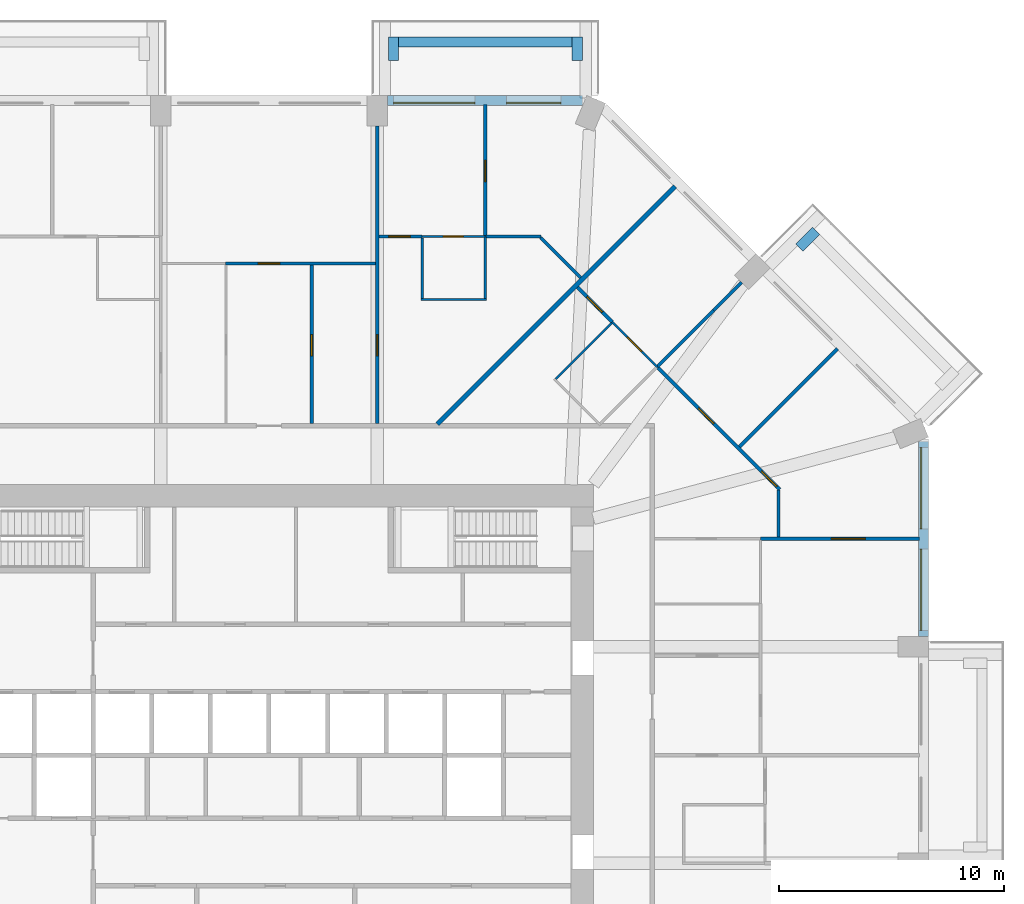
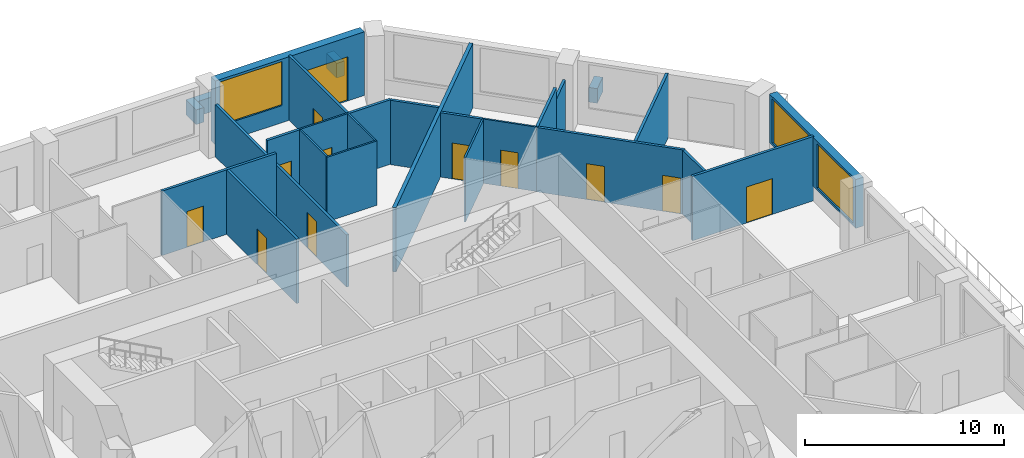
# One storey, part 10 of 13: 27 walls, 12 doors, 3 windows, 15 openings.
"""IFC4 building model written with IfcOpenShell, lengths in metres."""

from ifc_helpers import new_model, si_unit, direction, frame, frame_2d, origin, place, context, subcontext, project, spatial, rectangle, extrude, material, layer, layer_set, type_object, element, fill, save


model = new_model("IFC4")

# Units and contexts
model_context = context("Model", 3, precision=1e-05, world=origin(), true_north=direction((0.0, 1.0)))
body_context = subcontext(model_context, "Body", "Model", "MODEL_VIEW")
ifc_project = project(units=[si_unit("LENGTHUNIT", "METRE"), si_unit("AREAUNIT", "SQUARE_METRE"), si_unit("VOLUMEUNIT", "CUBIC_METRE"), si_unit("PLANEANGLEUNIT", "RADIAN"), si_unit("MASSUNIT", "GRAM", prefix="KILO")], contexts=[model_context])

# Site, building, storey
site_placement = place(None, origin())
site = spatial("IfcSite", under=ifc_project, at=site_placement, CompositionType="ELEMENT")
building_placement = place(site_placement, origin())
building = spatial("IfcBuilding", under=site, at=building_placement, Name="Msitu Wima Residences", CompositionType="ELEMENT")
storey_placement = place(building_placement, frame((0.0, 0.0, 75.89990234375)))
storey = spatial("IfcBuildingStorey", under=building, at=storey_placement, Name="L17", CompositionType="ELEMENT", Elevation=75.89990234375)

# Walls
ifc_material_1 = material(Name="Facing brick")
ifc_layer_1 = layer(ifc_material_1, 0.06494140625, Name="Facing brick")
ifc_material_2 = material(Name="Concrete C40/50", Category="concrete")
ifc_layer_2 = layer(ifc_material_2, 0.156005859375, Name="Concrete C40/50")
ifc_material_3 = material(Name="Waterproofing membrane")
ifc_layer_3 = layer(ifc_material_3, 0.00390625, Name="Waterproofing membrane")
ifc_material_4 = material(Name="Planting soil and planting")
ifc_layer_4 = layer(ifc_material_4, 0.22509765625, Name="Planting soil and planting")
ifc_layer_set_1 = layer_set([ifc_layer_1, ifc_layer_2, ifc_layer_3, ifc_layer_4], Name="Concrete C40/50")
wall_type_1 = type_object("IfcWallType", Name="Balcony planter PLANTER PL450", PredefinedType="USERDEFINED", material=ifc_layer_set_1)
wall_1_placement = place(storey_placement, frame((23.52685546875, 22.50146484375, 0.0), z_axis=(0.0, 0.0, 1.0), x_axis=(0.706990528533, 0.707223014731, 0.0)))
element("IfcWall", 1, at=wall_1_placement, inside=storey, type_object=wall_type_1, Name="Balcony planter NE0 L17", ObjectType="PLANTER", PredefinedType="USERDEFINED", context=body_context, shape_type="SweptSolid", body=[
    extrude(rectangle(XDim=1.050048828125, YDim=0.449951171875, at=frame_2d((0.52490234375, 0.0))), origin(), (0.0, 0.0, 1.0), 0.900146484375),
])
wall_2_placement = place(storey_placement, frame((13.449951171875, 31.625, 0.0), z_axis=(0.0, 0.0, 1.0), x_axis=(-1.0, 0.0, 0.0)))
element("IfcWall", 2, at=wall_2_placement, inside=storey, type_object=wall_type_1, Name="Balcony planter N0 L17", ObjectType="PLANTER", PredefinedType="USERDEFINED", context=body_context, shape_type="SweptSolid", body=[
    extrude(rectangle(XDim=7.699951171875, YDim=0.449951171875, at=frame_2d((3.85009765625, 0.0))), origin(), (0.0, 0.0, 1.0), 0.900146484375),
])
for number, where, z_axis, x_axis, name in (
    (3, (13.675048828125, 30.800048828125, 0.0), (0.0, 0.0, 1.0), (0.0, 1.0, 0.0), "Balcony planter N0 L17"),
    (4, (5.52490234375, 30.800048828125, 0.0), (0.0, 0.0, 1.0), (0.0, 1.0, 0.0), "Balcony planter N0 L17"),
):
    element("IfcWall", number, at=place(storey_placement, frame(where, z_axis=z_axis, x_axis=x_axis)), inside=storey, type_object=wall_type_1, Name=name, ObjectType="PLANTER", PredefinedType="USERDEFINED", context=body_context, shape_type="SweptSolid", body=[
        extrude(rectangle(XDim=1.050048828125, YDim=0.449951171875, at=frame_2d((0.52490234375, 0.0))), origin(), (0.0, 0.0, 1.0), 0.900146484375),
    ])

# Wall, openings, windows
ifc_material_5 = material(Name="Brick (red buff mix)", Category="masonry")
ifc_layer_5 = layer(ifc_material_5, 0.449951171875)
ifc_layer_set_2 = layer_set([ifc_layer_5], Name="Brick (red buff mix)")
wall_type_2 = type_object("IfcWallType", Name="Brick infill wall BW450", PredefinedType="SOLIDWALL", material=ifc_layer_set_2)
wall_3_placement = place(storey_placement, frame((29.02490234375, 5.25, 0.900146484375), z_axis=(0.0, 0.0, 1.0), x_axis=(0.0, 1.0, 0.0)))
wall_3 = element("IfcWall", 5, at=wall_3_placement, inside=storey, type_object=wall_type_2, Name="Brick infill wall L17 E2", PredefinedType="SOLIDWALL", context=body_context, shape_type="SweptSolid", body=[
    extrude(rectangle(XDim=8.662841796875, YDim=0.449951171875, at=frame_2d((4.33154296875, 0.0))), origin(), (0.0, 0.0, 1.0), 3.0),
])
opening_1_placement = place(wall_3_placement, frame((0.281494140625, 0.0, 0.14990234375)))
opening_1 = element("IfcOpeningElement", 6, at=opening_1_placement, cuts=wall_3, Name="Opening W16-17.004", PredefinedType="OPENING", context=body_context, shape_type="SweptSolid", body=[
    extrude(rectangle(XDim=3.60009765625, YDim=2.699951171875, at=frame_2d((1.800048828125, 1.35009765625))), frame((0.0, 0.23486328125, 0.0), z_axis=(0.0, -1.0, 0.0), x_axis=(1.0, 0.0, 0.0)), (0.0, 0.0, 1.0), 0.469970703125),
])
opening_2_placement = place(wall_3_placement, frame((4.781494140625, 0.0, 0.14990234375)))
opening_2 = element("IfcOpeningElement", 7, at=opening_2_placement, cuts=wall_3, Name="Opening W16-17.005", PredefinedType="OPENING", context=body_context, shape_type="SweptSolid", body=[
    extrude(rectangle(XDim=3.60009765625, YDim=2.699951171875, at=frame_2d((1.800048828125, 1.35009765625))), frame((0.0, 0.23486328125, 0.0), z_axis=(0.0, -1.0, 0.0), x_axis=(1.0, 0.0, 0.0)), (0.0, 0.0, 1.0), 0.469970703125),
])
ifc_material_6 = material(Name="Anodised aluminium, bronze finish, clear low-emissivity double glazing", Category="aluminium")
window_type = type_object("IfcWindowType", Name="Window W3600x2700", PartitioningType="DOUBLE_PANEL_VERTICAL", PredefinedType="WINDOW", material=ifc_material_6)
window_1_placement = place(opening_1_placement, origin())
window_1 = element("IfcWindow", 8, at=window_1_placement, inside=storey, type_object=window_type, Name="Window L17 E2.1", OverallHeight=2.699951171875, OverallWidth=3.60009765625, PartitioningType="SINGLE_PANEL", PredefinedType="WINDOW", context=body_context, shape_type="SweptSolid", body=[
    extrude(rectangle(XDim=3.60009765625, YDim=2.699951171875, at=frame_2d((1.800048828125, 1.35009765625))), frame((0.0, 0.135009765625, 0.0), z_axis=(0.0, -1.0, 0.0), x_axis=(1.0, 0.0, 0.0)), (0.0, 0.0, 1.0), 0.06005859375),
])
fill(opening_1, window_1)
window_2_placement = place(opening_2_placement, origin())
window_2 = element("IfcWindow", 9, at=window_2_placement, inside=storey, type_object=window_type, Name="Window L17 E2.2", OverallHeight=2.699951171875, OverallWidth=3.60009765625, PartitioningType="SINGLE_PANEL", PredefinedType="WINDOW", context=body_context, shape_type="SweptSolid", body=[
    extrude(rectangle(XDim=3.60009765625, YDim=2.699951171875, at=frame_2d((1.800048828125, 1.35009765625))), frame((0.0, 0.135009765625, 0.0), z_axis=(0.0, -1.0, 0.0), x_axis=(1.0, 0.0, 0.0)), (0.0, 0.0, 1.0), 0.06005859375),
])
fill(opening_2, window_2)

# Wall, openings, door, window
wall_4_placement = place(storey_placement, frame((13.912841796875, 29.02490234375, 0.0), z_axis=(0.0, 0.0, 1.0), x_axis=(-1.0, 0.0, 0.0)))
wall_4 = element("IfcWall", 10, at=wall_4_placement, inside=storey, type_object=wall_type_2, Name="Brick infill wall L17 N0", PredefinedType="SOLIDWALL", context=body_context, shape_type="SweptSolid", body=[
    extrude(rectangle(XDim=8.662841796875, YDim=0.449951171875, at=frame_2d((4.33154296875, 0.0))), origin(), (0.0, 0.0, 1.0), 3.900146484375),
])
opening_3_placement = place(wall_4_placement, frame((0.9658203125, 0.0, 0.0)))
opening_3 = element("IfcOpeningElement", 11, at=opening_3_placement, cuts=wall_4, Name="Opening D16-17.002", PredefinedType="OPENING", context=body_context, shape_type="SweptSolid", body=[
    extrude(rectangle(XDim=2.39990234375, YDim=2.699951171875, at=frame_2d((1.199951171875, 1.35009765625))), frame((0.0, 0.23486328125, 0.0), z_axis=(0.0, -1.0, 0.0), x_axis=(1.0, 0.0, 0.0)), (0.0, 0.0, 1.0), 0.469970703125),
])
opening_4_placement = place(wall_4_placement, frame((4.781494140625, 0.0, 1.050048828125)))
opening_4 = element("IfcOpeningElement", 12, at=opening_4_placement, cuts=wall_4, Name="Opening W16-17.006", PredefinedType="OPENING", context=body_context, shape_type="SweptSolid", body=[
    extrude(rectangle(XDim=3.60009765625, YDim=2.699951171875, at=frame_2d((1.800048828125, 1.35009765625))), frame((0.0, 0.23486328125, 0.0), z_axis=(0.0, -1.0, 0.0), x_axis=(1.0, 0.0, 0.0)), (0.0, 0.0, 1.0), 0.469970703125),
])
door_type_1 = type_object("IfcDoorType", Name="Balcony door D2400x2700", OperationType="SLIDING_TO_LEFT", PredefinedType="DOOR", material=ifc_material_6)
door_1_placement = place(opening_3_placement, origin())
door_1 = element("IfcDoor", 13, at=door_1_placement, inside=storey, type_object=door_type_1, Name="Balcony door L17 N0", OperationType="SINGLE_SWING_LEFT", OverallHeight=2.699951171875, OverallWidth=2.39990234375, PredefinedType="DOOR", context=body_context, shape_type="SweptSolid", body=[
    extrude(rectangle(XDim=2.39990234375, YDim=2.699951171875, at=frame_2d((1.199951171875, 1.35009765625))), frame((0.0, 0.1298828125, 0.0), z_axis=(0.0, -1.0, 0.0), x_axis=(1.0, 0.0, 0.0)), (0.0, 0.0, 1.0), 0.050048828125),
])
fill(opening_3, door_1)
window_3_placement = place(opening_4_placement, origin())
window_3 = element("IfcWindow", 14, at=window_3_placement, inside=storey, type_object=window_type, Name="Window L17 N0.2", OverallHeight=2.699951171875, OverallWidth=3.60009765625, PartitioningType="SINGLE_PANEL", PredefinedType="WINDOW", context=body_context, shape_type="SweptSolid", body=[
    extrude(rectangle(XDim=3.60009765625, YDim=2.699951171875, at=frame_2d((1.800048828125, 1.35009765625))), frame((0.0, 0.135009765625, 0.0), z_axis=(0.0, -1.0, 0.0), x_axis=(1.0, 0.0, 0.0)), (0.0, 0.0, 1.0), 0.06005859375),
])
fill(opening_4, window_3)

# Wall, opening, door
ifc_material_7 = material(Name="Plaster")
ifc_layer_6 = layer(ifc_material_7, 0.011962890625, Name="Plaster")
ifc_material_8 = material(Name="Concrete blockwork", Category="masonry")
ifc_layer_7 = layer(ifc_material_8, 0.1259765625, Name="Concrete blockwork")
ifc_layer_8 = layer(ifc_material_7, 0.011962890625, Name="Plaster")
ifc_layer_set_3 = layer_set([ifc_layer_6, ifc_layer_7, ifc_layer_8], Name="Concrete blockwork")
wall_type_3 = type_object("IfcWallType", Name="Partition PW150", PredefinedType="PARTITIONING", material=ifc_layer_set_3)
wall_5_placement = place(storey_placement, frame((-1.919921875, 21.800048828125, 0.0), z_axis=(0.0, 0.0, 1.0), x_axis=(1.0, 0.0, 0.0)))
wall_5 = element("IfcWall", 15, at=wall_5_placement, inside=storey, type_object=wall_type_3, Name="Partition", PredefinedType="PARTITIONING", context=body_context, shape_type="SweptSolid", body=[
    extrude(rectangle(XDim=6.64501953125, YDim=0.14990234375, at=frame_2d((3.322509765625, 0.0))), origin(), (0.0, 0.0, 1.0), 3.9501953125),
])
opening_5_placement = place(wall_5_placement, frame((1.449951171875, 0.0, 0.0)))
opening_5 = element("IfcOpeningElement", 16, at=opening_5_placement, cuts=wall_5, Name="Opening D16-17.053", PredefinedType="OPENING", context=body_context, shape_type="SweptSolid", body=[
    extrude(rectangle(XDim=0.949951171875, YDim=2.199951171875, at=frame_2d((0.47509765625, 1.10009765625))), frame((0.0, 0.0849609375, 0.0), z_axis=(0.0, -1.0, 0.0), x_axis=(1.0, 0.0, 0.0)), (0.0, 0.0, 1.0), 0.169921875),
])
ifc_material_9 = material(Name="Timber flush door", Category="wood")
door_type_2 = type_object("IfcDoorType", Name="Room door D12 950x2200", OperationType="SINGLE_SWING_LEFT", PredefinedType="DOOR", material=ifc_material_9)
door_2_placement = place(opening_5_placement, origin())
door_2 = element("IfcDoor", 17, at=door_2_placement, inside=storey, type_object=door_type_2, Name="Room door", OperationType="SINGLE_SWING_LEFT", OverallHeight=2.199951171875, OverallWidth=0.949951171875, PredefinedType="DOOR", context=body_context, shape_type="SweptSolid", body=[
    extrude(rectangle(XDim=0.949951171875, YDim=2.199951171875, at=frame_2d((0.47509765625, 1.10009765625))), frame((0.0, 0.02490234375, 0.0), z_axis=(0.0, -1.0, 0.0), x_axis=(1.0, 0.0, 0.0)), (0.0, 0.0, 1.0), 0.050048828125),
])
fill(opening_5, door_2)

wall_6_placement = place(storey_placement, frame((1.89990234375, 14.699951171875, 0.0), z_axis=(0.0, 0.0, 1.0), x_axis=(0.0, 1.0, 0.0)))
wall_6 = element("IfcWall", 18, at=wall_6_placement, inside=storey, type_object=wall_type_3, Name="Partition", PredefinedType="PARTITIONING", context=body_context, shape_type="SweptSolid", body=[
    extrude(rectangle(XDim=7.025146484375, YDim=0.14990234375, at=frame_2d((3.5126953125, 0.0))), origin(), (0.0, 0.0, 1.0), 3.9501953125),
])
opening_6_placement = place(wall_6_placement, frame((3.0, 0.0, 0.0)))
opening_6 = element("IfcOpeningElement", 19, at=opening_6_placement, cuts=wall_6, Name="Opening D16-17.064", PredefinedType="OPENING", context=body_context, shape_type="SweptSolid", body=[
    extrude(rectangle(XDim=0.949951171875, YDim=2.199951171875, at=frame_2d((0.47509765625, 1.10009765625))), frame((0.0, 0.0849609375, 0.0), z_axis=(0.0, -1.0, 0.0), x_axis=(1.0, 0.0, 0.0)), (0.0, 0.0, 1.0), 0.169921875),
])
door_3_placement = place(opening_6_placement, origin())
door_3 = element("IfcDoor", 20, at=door_3_placement, inside=storey, type_object=door_type_2, Name="Room door", OperationType="SINGLE_SWING_RIGHT", OverallHeight=2.199951171875, OverallWidth=0.949951171875, PredefinedType="DOOR", context=body_context, shape_type="SweptSolid", body=[
    extrude(rectangle(XDim=0.949951171875, YDim=2.199951171875, at=frame_2d((0.47509765625, 1.10009765625))), frame((0.0, 0.02490234375, 0.0), z_axis=(0.0, -1.0, 0.0), x_axis=(1.0, 0.0, 0.0)), (0.0, 0.0, 1.0), 0.050048828125),
])
fill(opening_6, door_3)

wall_7_placement = place(storey_placement, frame((4.800048828125, 14.699951171875, 0.0), z_axis=(0.0, 0.0, 1.0), x_axis=(0.0, 1.0, 0.0)))
wall_7 = element("IfcWall", 21, at=wall_7_placement, inside=storey, type_object=wall_type_3, Name="Partition", PredefinedType="PARTITIONING", context=body_context, shape_type="SweptSolid", body=[
    extrude(rectangle(XDim=13.199951171875, YDim=0.14990234375, at=frame_2d((6.60009765625, 0.0))), origin(), (0.0, 0.0, 1.0), 3.2001953125),
])
opening_7_placement = place(wall_7_placement, frame((3.0, 0.0, 0.0)))
opening_7 = element("IfcOpeningElement", 22, at=opening_7_placement, cuts=wall_7, Name="Opening D16-17.092", PredefinedType="OPENING", context=body_context, shape_type="SweptSolid", body=[
    extrude(rectangle(XDim=0.949951171875, YDim=2.199951171875, at=frame_2d((0.47509765625, 1.10009765625))), frame((0.0, 0.0849609375, 0.0), z_axis=(0.0, -1.0, 0.0), x_axis=(1.0, 0.0, 0.0)), (0.0, 0.0, 1.0), 0.169921875),
])
door_4_placement = place(opening_7_placement, origin())
door_4 = element("IfcDoor", 23, at=door_4_placement, inside=storey, type_object=door_type_2, Name="Room door", OperationType="SINGLE_SWING_LEFT", OverallHeight=2.199951171875, OverallWidth=0.949951171875, PredefinedType="DOOR", context=body_context, shape_type="SweptSolid", body=[
    extrude(rectangle(XDim=0.949951171875, YDim=2.199951171875, at=frame_2d((0.47509765625, 1.10009765625))), frame((0.0, 0.02490234375, 0.0), z_axis=(0.0, -1.0, 0.0), x_axis=(1.0, 0.0, 0.0)), (0.0, 0.0, 1.0), 0.050048828125),
])
fill(opening_7, door_4)

wall_8_placement = place(storey_placement, frame((4.875, 23.0, 0.0), z_axis=(0.0, 0.0, 1.0), x_axis=(1.0, 0.0, 0.0)))
wall_8 = element("IfcWall", 24, at=wall_8_placement, inside=storey, type_object=wall_type_3, Name="Partition", PredefinedType="PARTITIONING", context=body_context, shape_type="SweptSolid", body=[
    extrude(rectangle(XDim=1.905029296875, YDim=0.14990234375, at=frame_2d((0.95263671875, 0.0))), origin(), (0.0, 0.0, 1.0), 3.9501953125),
])
opening_8_placement = place(wall_8_placement, frame((0.449951171875, 0.0, 0.0)))
opening_8 = element("IfcOpeningElement", 25, at=opening_8_placement, cuts=wall_8, Name="Opening D16-17.093", PredefinedType="OPENING", context=body_context, shape_type="SweptSolid", body=[
    extrude(rectangle(XDim=0.949951171875, YDim=2.199951171875, at=frame_2d((0.47509765625, 1.10009765625))), frame((0.0, 0.0849609375, 0.0), z_axis=(0.0, -1.0, 0.0), x_axis=(1.0, 0.0, 0.0)), (0.0, 0.0, 1.0), 0.169921875),
])
door_5_placement = place(opening_8_placement, origin())
door_5 = element("IfcDoor", 26, at=door_5_placement, inside=storey, type_object=door_type_2, Name="Room door", OperationType="SINGLE_SWING_LEFT", OverallHeight=2.199951171875, OverallWidth=0.949951171875, PredefinedType="DOOR", context=body_context, shape_type="SweptSolid", body=[
    extrude(rectangle(XDim=0.949951171875, YDim=2.199951171875, at=frame_2d((0.47509765625, 1.10009765625))), frame((0.0, 0.02490234375, 0.0), z_axis=(0.0, -1.0, 0.0), x_axis=(1.0, 0.0, 0.0)), (0.0, 0.0, 1.0), 0.050048828125),
])
fill(opening_8, door_5)

wall_9_placement = place(storey_placement, frame((9.60009765625, 22.97998046875, 0.0), z_axis=(0.0, 0.0, 1.0), x_axis=(0.0, 1.0, 0.0)))
wall_9 = element("IfcWall", 27, at=wall_9_placement, inside=storey, type_object=wall_type_3, Name="Partition", PredefinedType="PARTITIONING", context=body_context, shape_type="SweptSolid", body=[
    extrude(rectangle(XDim=5.875, YDim=0.14990234375, at=frame_2d((2.9375, 0.0))), origin(), (0.0, 0.0, 1.0), 3.9501953125),
])
opening_9_placement = place(wall_9_placement, frame((2.449951171875, 0.0, 0.0)))
opening_9 = element("IfcOpeningElement", 28, at=opening_9_placement, cuts=wall_9, Name="Opening D16-17.043", PredefinedType="OPENING", context=body_context, shape_type="SweptSolid", body=[
    extrude(rectangle(XDim=0.949951171875, YDim=2.199951171875, at=frame_2d((0.47509765625, 1.10009765625))), frame((0.0, 0.0849609375, 0.0), z_axis=(0.0, -1.0, 0.0), x_axis=(1.0, 0.0, 0.0)), (0.0, 0.0, 1.0), 0.169921875),
])
door_6_placement = place(opening_9_placement, origin())
door_6 = element("IfcDoor", 29, at=door_6_placement, inside=storey, type_object=door_type_2, Name="Room door", OperationType="SINGLE_SWING_RIGHT", OverallHeight=2.199951171875, OverallWidth=0.949951171875, PredefinedType="DOOR", context=body_context, shape_type="SweptSolid", body=[
    extrude(rectangle(XDim=0.949951171875, YDim=2.199951171875, at=frame_2d((0.47509765625, 1.10009765625))), frame((0.0, 0.02490234375, 0.0), z_axis=(0.0, -1.0, 0.0), x_axis=(1.0, 0.0, 0.0)), (0.0, 0.0, 1.0), 0.050048828125),
])
fill(opening_9, door_6)

# Walls
wall_10_placement = place(storey_placement, frame((9.6201171875, 23.0, 0.0), z_axis=(0.0, 0.0, 1.0), x_axis=(1.0, 0.0, 0.0)))
element("IfcWall", 30, at=wall_10_placement, inside=storey, type_object=wall_type_3, Name="Partition", PredefinedType="PARTITIONING", context=body_context, shape_type="SweptSolid", body=[
    extrude(rectangle(XDim=2.452392578125, YDim=0.14990234375, at=frame_2d((1.22607421875, 0.0))), origin(), (0.0, 0.0, 1.0), 3.9501953125),
])
wall_11_placement = place(storey_placement, frame((12.050537109375, 22.947021484375, 0.0), z_axis=(0.0, 0.0, 1.0), x_axis=(0.707106781187, -0.707106781187, 0.0)))
element("IfcWall", 31, at=wall_11_placement, inside=storey, type_object=wall_type_3, Name="Partition", PredefinedType="PARTITIONING", context=body_context, shape_type="SweptSolid", body=[
    extrude(rectangle(XDim=2.513916015625, YDim=0.14990234375, at=frame_2d((1.2568359375, 0.0))), origin(), (0.0, 0.0, 1.0), 3.9501953125),
])

# Wall, opening, door
wall_12_placement = place(storey_placement, frame((13.686767578125, 20.7451171875, 0.0), z_axis=(0.0, 0.0, 1.0), x_axis=(0.707106781187, -0.707106781187, 0.0)))
wall_12 = element("IfcWall", 32, at=wall_12_placement, inside=storey, type_object=wall_type_3, Name="Partition", PredefinedType="PARTITIONING", context=body_context, shape_type="SweptSolid", body=[
    extrude(rectangle(XDim=2.171142578125, YDim=0.14990234375, at=frame_2d((1.08544921875, 0.0))), origin(), (0.0, 0.0, 1.0), 3.9501953125),
])
opening_10_placement = place(wall_12_placement, frame((0.60009765625, 0.0, 0.0)))
opening_10 = element("IfcOpeningElement", 33, at=opening_10_placement, cuts=wall_12, Name="Opening D16-17.088", PredefinedType="OPENING", context=body_context, shape_type="SweptSolid", body=[
    extrude(rectangle(XDim=0.949951171875, YDim=2.199951171875, at=frame_2d((0.47509765625, 1.10009765625))), frame((0.0, 0.0849609375, 0.0), z_axis=(0.0, -1.0, 0.0), x_axis=(1.0, 0.0, 0.0)), (0.0, 0.0, 1.0), 0.169921875),
])
door_7_placement = place(opening_10_placement, origin())
door_7 = element("IfcDoor", 34, at=door_7_placement, inside=storey, type_object=door_type_2, Name="Room door", OperationType="SINGLE_SWING_LEFT", OverallHeight=2.199951171875, OverallWidth=0.949951171875, PredefinedType="DOOR", context=body_context, shape_type="SweptSolid", body=[
    extrude(rectangle(XDim=0.949951171875, YDim=2.199951171875, at=frame_2d((0.47509765625, 1.10009765625))), frame((0.0, 0.02490234375, 0.0), z_axis=(0.0, -1.0, 0.0), x_axis=(1.0, 0.0, 0.0)), (0.0, 0.0, 1.0), 0.050048828125),
])
fill(opening_10, door_7)

# Walls
wall_13_placement = place(storey_placement, frame((17.201904296875, 17.201904296875, 0.0), z_axis=(0.0, 0.0, 1.0), x_axis=(0.707106781187, 0.707106781187, 0.0)))
element("IfcWall", 35, at=wall_13_placement, inside=storey, type_object=wall_type_3, Name="Partition", PredefinedType="PARTITIONING", context=body_context, shape_type="SweptSolid", body=[
    extrude(rectangle(XDim=3.571533203125, YDim=0.14990234375, at=frame_2d((1.78564453125, 0.0))), origin(), (0.0, 0.0, 1.0), 3.9501953125),
])
wall_14_placement = place(storey_placement, frame((19.727294921875, 19.727294921875, 0.0), z_axis=(0.0, 0.0, 1.0), x_axis=(0.707106781187, 0.707106781187, 0.0)))
element("IfcWall", 36, at=wall_14_placement, inside=storey, type_object=wall_type_3, Name="Partition", PredefinedType="PARTITIONING", context=body_context, shape_type="SweptSolid", body=[
    extrude(rectangle(XDim=1.74853515625, YDim=0.14990234375, at=frame_2d((0.874267578125, 0.0))), origin(), (0.0, 0.0, 1.0), 3.25),
])

# Wall, openings, doors
wall_15_placement = place(storey_placement, frame((17.2158203125, 17.2158203125, 0.0), z_axis=(0.0, 0.0, 1.0), x_axis=(0.707122656422, -0.707090905595, 0.0)))
wall_15 = element("IfcWall", 37, at=wall_15_placement, inside=storey, type_object=wall_type_3, Name="Partition", PredefinedType="PARTITIONING", context=body_context, shape_type="SweptSolid", body=[
    extrude(rectangle(XDim=7.689208984375, YDim=0.14990234375, at=frame_2d((3.8447265625, 0.0))), origin(), (0.0, 0.0, 1.0), 3.9501953125),
])
opening_11_placement = place(wall_15_placement, frame((6.550048828125, 0.0, 0.0)))
opening_11 = element("IfcOpeningElement", 38, at=opening_11_placement, cuts=wall_15, Name="Opening D16-17.085", PredefinedType="OPENING", context=body_context, shape_type="SweptSolid", body=[
    extrude(rectangle(XDim=0.949951171875, YDim=2.199951171875, at=frame_2d((0.47509765625, 1.10009765625))), frame((0.0, 0.0849609375, 0.0), z_axis=(0.0, -1.0, 0.0), x_axis=(1.0, 0.0, 0.0)), (0.0, 0.0, 1.0), 0.169921875),
])
opening_12_placement = place(wall_15_placement, frame((2.60009765625, 0.0, 0.0)))
opening_12 = element("IfcOpeningElement", 39, at=opening_12_placement, cuts=wall_15, Name="Opening D16-17.087", PredefinedType="OPENING", context=body_context, shape_type="SweptSolid", body=[
    extrude(rectangle(XDim=0.949951171875, YDim=2.199951171875, at=frame_2d((0.47509765625, 1.10009765625))), frame((0.0, 0.0849609375, 0.0), z_axis=(0.0, -1.0, 0.0), x_axis=(1.0, 0.0, 0.0)), (0.0, 0.0, 1.0), 0.169921875),
])
door_8_placement = place(opening_11_placement, origin())
door_8 = element("IfcDoor", 40, at=door_8_placement, inside=storey, type_object=door_type_2, Name="Room door", OperationType="SINGLE_SWING_LEFT", OverallHeight=2.199951171875, OverallWidth=0.949951171875, PredefinedType="DOOR", context=body_context, shape_type="SweptSolid", body=[
    extrude(rectangle(XDim=0.949951171875, YDim=2.199951171875, at=frame_2d((0.47509765625, 1.10009765625))), frame((0.0, 0.02490234375, 0.0), z_axis=(0.0, -1.0, 0.0), x_axis=(1.0, 0.0, 0.0)), (0.0, 0.0, 1.0), 0.050048828125),
])
fill(opening_11, door_8)
door_9_placement = place(opening_12_placement, origin())
door_9 = element("IfcDoor", 41, at=door_9_placement, inside=storey, type_object=door_type_2, Name="Room door", OperationType="SINGLE_SWING_RIGHT", OverallHeight=2.199951171875, OverallWidth=0.949951171875, PredefinedType="DOOR", context=body_context, shape_type="SweptSolid", body=[
    extrude(rectangle(XDim=0.949951171875, YDim=2.199951171875, at=frame_2d((0.47509765625, 1.10009765625))), frame((0.0, 0.02490234375, 0.0), z_axis=(0.0, -1.0, 0.0), x_axis=(1.0, 0.0, 0.0)), (0.0, 0.0, 1.0), 0.050048828125),
])
fill(opening_12, door_9)

# Wall
wall_16_placement = place(storey_placement, frame((20.868896484375, 13.6689453125, 0.0), z_axis=(0.0, 0.0, 1.0), x_axis=(0.707126629519, 0.707086932297, 0.0)))
element("IfcWall", 42, at=wall_16_placement, inside=storey, type_object=wall_type_3, Name="Partition", PredefinedType="PARTITIONING", context=body_context, shape_type="SweptSolid", body=[
    extrude(rectangle(XDim=6.150146484375, YDim=0.14990234375, at=frame_2d((3.0751953125, 0.0))), origin(), (0.0, 0.0, 1.0), 3.9501953125),
])

# Wall, opening, door
wall_17_placement = place(storey_placement, frame((21.800048828125, 9.60009765625, 0.0), z_axis=(0.0, 0.0, 1.0), x_axis=(1.0, 0.0, 0.0)))
wall_17 = element("IfcWall", 43, at=wall_17_placement, inside=storey, type_object=wall_type_3, Name="Partition", PredefinedType="PARTITIONING", context=body_context, shape_type="SweptSolid", body=[
    extrude(rectangle(XDim=7.054931640625, YDim=0.14990234375, at=frame_2d((3.52734375, 0.0))), origin(), (0.0, 0.0, 1.0), 3.9501953125),
])
opening_13_placement = place(wall_17_placement, frame((3.14990234375, 0.0, 0.0)))
opening_13 = element("IfcOpeningElement", 44, at=opening_13_placement, cuts=wall_17, Name="Opening D16-17.078", PredefinedType="OPENING", context=body_context, shape_type="SweptSolid", body=[
    extrude(rectangle(XDim=1.5, YDim=2.199951171875, at=frame_2d((0.75, 1.10009765625))), frame((0.0, 0.0849609375, 0.0), z_axis=(0.0, -1.0, 0.0), x_axis=(1.0, 0.0, 0.0)), (0.0, 0.0, 1.0), 0.169921875),
])
ifc_material_10 = material(Name="Timber double door", Category="wood")
door_type_3 = type_object("IfcDoorType", Name="Double door D04 1500x2200", OperationType="DOUBLE_DOOR_SINGLE_SWING", PredefinedType="DOOR", material=ifc_material_10)
door_10_placement = place(opening_13_placement, origin())
door_10 = element("IfcDoor", 45, at=door_10_placement, inside=storey, type_object=door_type_3, Name="Double door", OperationType="DOUBLE_DOOR_SINGLE_SWING", OverallHeight=2.199951171875, OverallWidth=1.5, PredefinedType="DOOR", context=body_context, shape_type="SweptSolid", body=[
    extrude(rectangle(XDim=1.5, YDim=2.199951171875, at=frame_2d((0.75, 1.10009765625))), frame((0.0, 0.02490234375, 0.0), z_axis=(0.0, -1.0, 0.0), x_axis=(1.0, 0.0, 0.0)), (0.0, 0.0, 1.0), 0.050048828125),
])
fill(opening_13, door_10)

# Walls
wall_18_placement = place(storey_placement, frame((22.60009765625, 9.675048828125, 0.0), z_axis=(0.0, 0.0, 1.0), x_axis=(0.0, 1.0, 0.0)))
element("IfcWall", 46, at=wall_18_placement, inside=storey, type_object=wall_type_3, Name="Partition", PredefinedType="PARTITIONING", context=body_context, shape_type="SweptSolid", body=[
    extrude(rectangle(XDim=2.081787109375, YDim=0.14990234375, at=frame_2d((1.041015625, 0.0))), origin(), (0.0, 0.0, 1.0), 3.9501953125),
])
ifc_layer_9 = layer(ifc_material_7, 0.011962890625, Name="Plaster")
ifc_material_11 = material(Name="Dense concrete blockwork", Category="masonry")
ifc_layer_10 = layer(ifc_material_11, 0.176025390625, Name="Dense concrete blockwork")
ifc_layer_11 = layer(ifc_material_7, 0.011962890625, Name="Plaster")
ifc_layer_set_4 = layer_set([ifc_layer_9, ifc_layer_10, ifc_layer_11], Name="Dense concrete blockwork")
wall_type_4 = type_object("IfcWallType", Name="Party wall PW200", PredefinedType="PARTITIONING", material=ifc_layer_set_4)
wall_19_placement = place(storey_placement, frame((7.470703125, 14.670654296875, 0.0), z_axis=(0.0, 0.0, 1.0), x_axis=(0.707098597128, 0.707114965151, 0.0)))
element("IfcWall", 47, at=wall_19_placement, inside=storey, type_object=wall_type_4, Name="Party wall", PredefinedType="PARTITIONING", context=body_context, shape_type="SweptSolid", body=[
    extrude(rectangle(XDim=14.915771484375, YDim=0.199951171875, at=frame_2d((7.4580078125, 0.0))), origin(), (0.0, 0.0, 1.0), 3.9501953125),
])

# Wall, opening, door
ifc_material_12 = material(Name="Ceramic tiles")
ifc_layer_12 = layer(ifc_material_12, 0.008056640625, Name="Ceramic tiles")
ifc_material_13 = material(Name="Moisture-resistant board")
ifc_layer_13 = layer(ifc_material_13, 0.012451171875, Name="Moisture-resistant board")
ifc_material_14 = material(Name="Light-gauge stud framing with mineral wool")
ifc_layer_14 = layer(ifc_material_14, 0.06689453125, Name="Light-gauge stud framing with mineral wool")
ifc_layer_15 = layer(ifc_material_13, 0.012451171875, Name="Moisture-resistant board")
ifc_layer_set_5 = layer_set([ifc_layer_12, ifc_layer_13, ifc_layer_14, ifc_layer_15], Name="Light-gauge stud framing with mineral wool")
wall_type_5 = type_object("IfcWallType", Name="Wet wall PW100", PredefinedType="PARTITIONING", material=ifc_layer_set_5)
wall_20_placement = place(storey_placement, frame((6.780029296875, 23.0, 0.0), z_axis=(0.0, 0.0, 1.0), x_axis=(1.0, 0.0, 0.0)))
wall_20 = element("IfcWall", 48, at=wall_20_placement, inside=storey, type_object=wall_type_5, Name="Wet wall", PredefinedType="PARTITIONING", context=body_context, shape_type="SweptSolid", body=[
    extrude(rectangle(XDim=2.840087890625, YDim=0.10009765625, at=frame_2d((1.419921875, 0.0))), origin(), (0.0, 0.0, 1.0), 3.9501953125),
])
opening_14_placement = place(wall_20_placement, frame((0.949951171875, 0.0, 0.0)))
opening_14 = element("IfcOpeningElement", 49, at=opening_14_placement, cuts=wall_20, Name="Opening D16-17.094", PredefinedType="OPENING", context=body_context, shape_type="SweptSolid", body=[
    extrude(rectangle(XDim=0.89990234375, YDim=2.199951171875, at=frame_2d((0.449951171875, 1.10009765625))), frame((0.0, 0.06005859375, 0.0), z_axis=(0.0, -1.0, 0.0), x_axis=(1.0, 0.0, 0.0)), (0.0, 0.0, 1.0), 0.1201171875),
])
ifc_material_15 = material(Name="Timber flush door, moisture resistant", Category="wood")
door_type_4 = type_object("IfcDoorType", Name="Bathroom door D03 900x2200", OperationType="SINGLE_SWING_LEFT", PredefinedType="DOOR", material=ifc_material_15)
door_11_placement = place(opening_14_placement, origin())
door_11 = element("IfcDoor", 50, at=door_11_placement, inside=storey, type_object=door_type_4, Name="Bathroom door", OperationType="SINGLE_SWING_RIGHT", OverallHeight=2.199951171875, OverallWidth=0.89990234375, PredefinedType="DOOR", context=body_context, shape_type="SweptSolid", body=[
    extrude(rectangle(XDim=0.89990234375, YDim=2.199951171875, at=frame_2d((0.449951171875, 1.10009765625))), frame((0.0, 0.02490234375, 0.0), z_axis=(0.0, -1.0, 0.0), x_axis=(1.0, 0.0, 0.0)), (0.0, 0.0, 1.0), 0.050048828125),
])
fill(opening_14, door_11)

# Walls
wall_21_placement = place(storey_placement, frame((6.800048828125, 20.25, 0.0), z_axis=(0.0, 0.0, 1.0), x_axis=(0.0, 1.0, 0.0)))
element("IfcWall", 51, at=wall_21_placement, inside=storey, type_object=wall_type_5, Name="Wet wall", PredefinedType="PARTITIONING", context=body_context, shape_type="SweptSolid", body=[
    extrude(rectangle(XDim=2.675048828125, YDim=0.10009765625, at=frame_2d((1.33740234375, 0.0))), origin(), (0.0, 0.0, 1.0), 3.9501953125),
])
wall_22_placement = place(storey_placement, frame((6.75, 20.199951171875, 0.0), z_axis=(0.0, 0.0, 1.0), x_axis=(1.0, 0.0, 0.0)))
element("IfcWall", 52, at=wall_22_placement, inside=storey, type_object=wall_type_5, Name="Wet wall", PredefinedType="PARTITIONING", context=body_context, shape_type="SweptSolid", body=[
    extrude(rectangle(XDim=2.89990234375, YDim=0.10009765625, at=frame_2d((1.449951171875, 0.0))), origin(), (0.0, 0.0, 1.0), 3.9501953125),
])
wall_23_placement = place(storey_placement, frame((9.60009765625, 20.25, 0.0), z_axis=(0.0, 0.0, 1.0), x_axis=(0.0, 1.0, 0.0)))
element("IfcWall", 53, at=wall_23_placement, inside=storey, type_object=wall_type_5, Name="Wet wall", PredefinedType="PARTITIONING", context=body_context, shape_type="SweptSolid", body=[
    extrude(rectangle(XDim=2.72998046875, YDim=0.10009765625, at=frame_2d((1.364990234375, 0.0))), origin(), (0.0, 0.0, 1.0), 3.9501953125),
])
wall_24_placement = place(storey_placement, frame((12.725830078125, 16.685546875, 0.0), z_axis=(0.0, 0.0, 1.0), x_axis=(0.707106781187, 0.707106781187, 0.0)))
element("IfcWall", 54, at=wall_24_placement, inside=storey, type_object=wall_type_5, Name="Wet wall", PredefinedType="PARTITIONING", context=body_context, shape_type="SweptSolid", body=[
    extrude(rectangle(XDim=3.5, YDim=0.10009765625, at=frame_2d((1.75, 0.0))), origin(), (0.0, 0.0, 1.0), 3.9501953125),
])

# Wall, opening, door
wall_25_placement = place(storey_placement, frame((15.221923828125, 19.2099609375, 0.0), z_axis=(0.0, 0.0, 1.0), x_axis=(0.707063492027, -0.707150067696, 0.0)))
wall_25 = element("IfcWall", 55, at=wall_25_placement, inside=storey, type_object=wall_type_5, Name="Wet wall", PredefinedType="PARTITIONING", context=body_context, shape_type="SweptSolid", body=[
    extrude(rectangle(XDim=2.820068359375, YDim=0.10009765625, at=frame_2d((1.41015625, 0.0))), origin(), (0.0, 0.0, 1.0), 3.9501953125),
])
opening_15_placement = place(wall_25_placement, frame((0.949951171875, 0.0, 0.0)))
opening_15 = element("IfcOpeningElement", 56, at=opening_15_placement, cuts=wall_25, Name="Opening D16-17.089", PredefinedType="OPENING", context=body_context, shape_type="SweptSolid", body=[
    extrude(rectangle(XDim=0.89990234375, YDim=2.199951171875, at=frame_2d((0.449951171875, 1.10009765625))), frame((0.0, 0.06005859375, 0.0), z_axis=(0.0, -1.0, 0.0), x_axis=(1.0, 0.0, 0.0)), (0.0, 0.0, 1.0), 0.1201171875),
])
door_12_placement = place(opening_15_placement, origin())
door_12 = element("IfcDoor", 57, at=door_12_placement, inside=storey, type_object=door_type_4, Name="Bathroom door", OperationType="SINGLE_SWING_RIGHT", OverallHeight=2.199951171875, OverallWidth=0.89990234375, PredefinedType="DOOR", context=body_context, shape_type="SweptSolid", body=[
    extrude(rectangle(XDim=0.89990234375, YDim=2.199951171875, at=frame_2d((0.449951171875, 1.10009765625))), frame((0.0, 0.02490234375, 0.0), z_axis=(0.0, -1.0, 0.0), x_axis=(1.0, 0.0, 0.0)), (0.0, 0.0, 1.0), 0.050048828125),
])
fill(opening_15, door_12)

save(model, "model.ifc")
